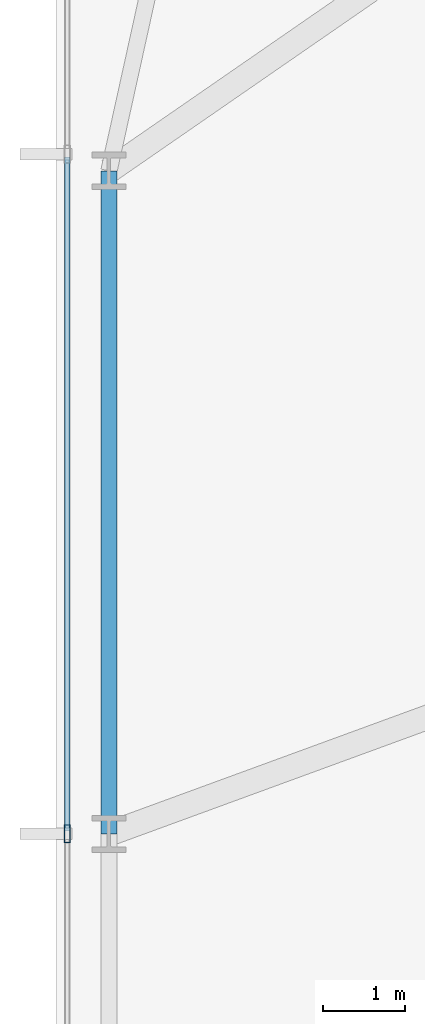
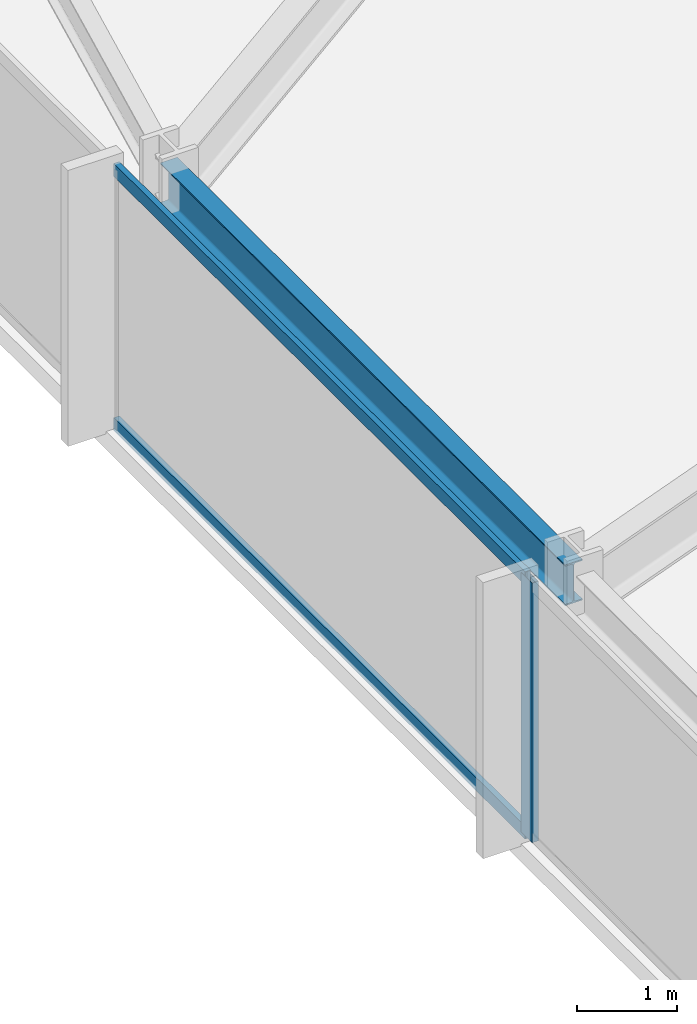
# One storey, part 7 of 33: 3 members, 1 beam, 1 element without a shape of its own.
"""IFC4 building model written with IfcOpenShell, lengths in metres."""

from ifc_helpers import new_model, si_unit, direction, frame, origin, origin_2d, place, context, subcontext, project, spatial, hollow_rectangle, i_section, extrude, material, material_profile, profile_set, type_object, element, aggregate, save


model = new_model("IFC4")

# Units and contexts
model_context = context("Model", 3, precision=1e-05, world=origin(), true_north=direction((0.0, 1.0)))
body_context = subcontext(model_context, "Body", "Model", "MODEL_VIEW")
ifc_project = project(units=[si_unit("LENGTHUNIT", "METRE"), si_unit("AREAUNIT", "SQUARE_METRE"), si_unit("VOLUMEUNIT", "CUBIC_METRE"), si_unit("PLANEANGLEUNIT", "RADIAN"), si_unit("MASSUNIT", "GRAM", prefix="KILO")], contexts=[model_context])

# Site, building, storey
site_placement = place(None, origin())
site = spatial("IfcSite", under=ifc_project, at=site_placement, CompositionType="ELEMENT")
building_placement = place(site_placement, origin())
building = spatial("IfcBuilding", under=site, at=building_placement, Name="Yelkora Congress Tower", CompositionType="ELEMENT")
storey_placement = place(building_placement, frame((0.0, 0.0, 47.39990234375)))
storey = spatial("IfcBuildingStorey", under=building, at=storey_placement, Name="L11", CompositionType="ELEMENT", Elevation=47.39990234375)

# Beam
ifc_material_1 = material(Name="Steel S355J2", Category="steel")
ifc_material_profile_1 = material_profile(ifc_material_1, i_section(OverallWidth=0.199951171875, OverallDepth=0.5, WebThickness=0.01025390625, FlangeThickness=0.01611328125, FilletRadius=0.02099609375, at=origin_2d()), Name="IPE 500")
ifc_profile_set_1 = profile_set([ifc_material_profile_1], Name="Steel S355J2")
beam_type = type_object("IfcBeamType", Name="BM-SPAN-IPE500", PredefinedType="SPANDREL", material=ifc_profile_set_1)
beam_placement = place(storey_placement, frame((6.64990234375, 37.52490234375, 2.93017578125), z_axis=(0.0, -1.0, 0.0), x_axis=(1.0, 0.0, 0.0)))
element("IfcBeam", 1, at=beam_placement, inside=storey, type_object=beam_type, Name="L11 Perimeter Beam 18", PredefinedType="SPANDREL", context=body_context, shape_type="SweptSolid", body=[
    extrude(i_section(OverallWidth=0.199951171875, OverallDepth=0.5, WebThickness=0.01025390625, FlangeThickness=0.01611328125, FilletRadius=0.02099609375, at=origin_2d()), origin(), (0.0, 0.0, 1.0), 8.125),
])

# Curtain wall, members
ifc_material_2 = material(Name="Anodised aluminium and insulated glass", Category="aluminium")
curtain_wall_type = type_object("IfcCurtainWallType", Name="CW-SYS-B1", PredefinedType="NOTDEFINED", material=ifc_material_2)
curtain_wall_placement = place(storey_placement, origin())
curtain_wall = element("IfcCurtainWall", 2, at=curtain_wall_placement, inside=storey, type_object=curtain_wall_type, Name="L11 Unitised Curtain Wall 5", PredefinedType="NOTDEFINED")
ifc_material_3 = material(Name="Anodised aluminium 6063-T6", Category="aluminium")
ifc_material_profile_2 = material_profile(ifc_material_3, hollow_rectangle(XDim=0.074951171875, YDim=0.219970703125, WallThickness=0.0048828125, at=origin_2d()), Name="ALU 75x220x5")
ifc_profile_set_2 = profile_set([ifc_material_profile_2], Name="Anodised aluminium 6063-T6")
member_type_1 = type_object("IfcMemberType", Name="MEM-ML-B1", PredefinedType="MULLION", material=ifc_profile_set_2)
member_1_placement = place(storey_placement, frame((6.139892578125, 29.39990234375, 0.0), z_axis=(0.0, 0.0, 1.0), x_axis=(-1.0, 0.0, 0.0)))
member_1 = element("IfcMember", 3, at=member_1_placement, type_object=member_type_1, Name="CW-B1 mullion 3", PredefinedType="MULLION", context=body_context, shape_type="SweptSolid", body=[
    extrude(hollow_rectangle(XDim=0.074951171875, YDim=0.219970703125, WallThickness=0.0048828125, at=origin_2d()), origin(), (0.0, 0.0, 1.0), 3.18017578125),
])
ifc_material_profile_3 = material_profile(ifc_material_3, hollow_rectangle(XDim=0.06494140625, YDim=0.159912109375, WallThickness=0.00390625, at=origin_2d()), Name="ALU 65x160x4")
ifc_profile_set_3 = profile_set([ifc_material_profile_3], Name="Anodised aluminium 6063-T6")
member_type_2 = type_object("IfcMemberType", Name="MEM-TR-B1", PredefinedType="USERDEFINED", material=ifc_profile_set_3)
member_2_placement = place(storey_placement, frame((6.139892578125, 29.4375, 0.03271484375), z_axis=(0.0, 1.0, 0.0), x_axis=(-1.0, 0.0, 0.0)))
member_2 = element("IfcMember", 4, at=member_2_placement, type_object=member_type_2, Name="CW-B1 transom 3.1", ObjectType="TRANSOM", PredefinedType="USERDEFINED", context=body_context, shape_type="SweptSolid", body=[
    extrude(hollow_rectangle(XDim=0.06494140625, YDim=0.159912109375, WallThickness=0.00390625, at=origin_2d()), origin(), (0.0, 0.0, 1.0), 8.2548828125),
])
member_3_placement = place(storey_placement, frame((6.139892578125, 29.4375, 3.147705078125), z_axis=(0.0, 1.0, 0.0), x_axis=(-1.0, 0.0, 0.0)))
member_3 = element("IfcMember", 5, at=member_3_placement, type_object=member_type_2, Name="CW-B1 transom 3.2", ObjectType="TRANSOM", PredefinedType="USERDEFINED", context=body_context, shape_type="SweptSolid", body=[
    extrude(hollow_rectangle(XDim=0.06494140625, YDim=0.159912109375, WallThickness=0.00390625, at=origin_2d()), origin(), (0.0, 0.0, 1.0), 8.2548828125),
])
aggregate(curtain_wall, [member_1, member_2, member_3])

save(model, "model.ifc")
